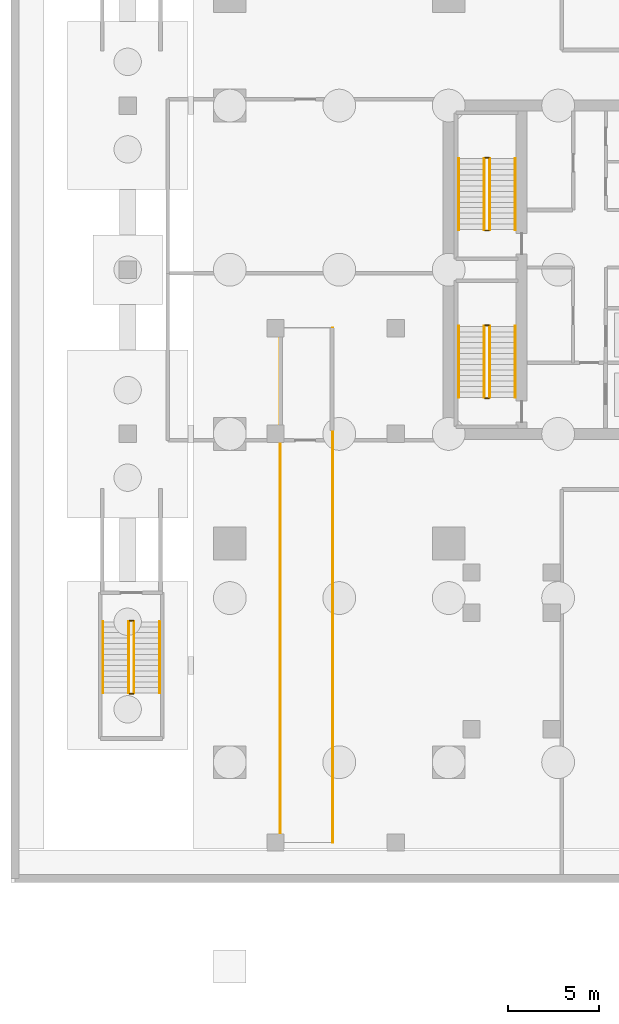
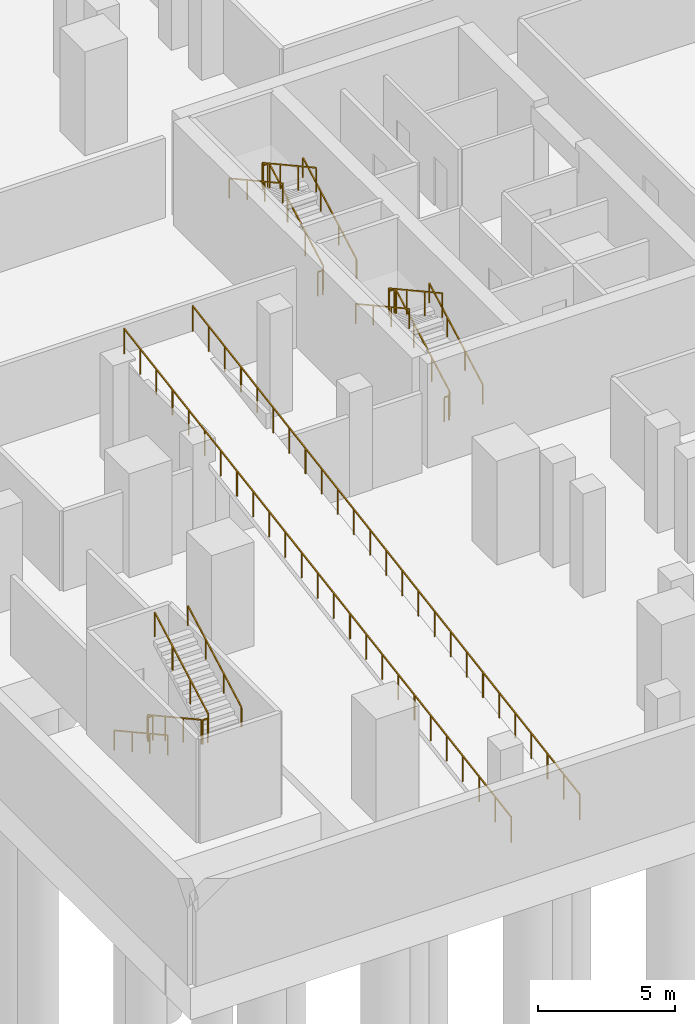
# One storey, part 10 of 14: 20 railings.
"""IFC4 building model written with IfcOpenShell, lengths in metres."""

from ifc_helpers import new_model, si_unit, direction, frame, origin, place, context, subcontext, project, spatial, rectangle, extrude, material, type_object, element, save


model = new_model("IFC4")

# Units and contexts
model_context = context("Model", 3, precision=1e-05, world=origin(), true_north=direction((0.0, 1.0)))
body_context = subcontext(model_context, "Body", "Model", "MODEL_VIEW")
ifc_project = project(units=[si_unit("LENGTHUNIT", "METRE"), si_unit("AREAUNIT", "SQUARE_METRE"), si_unit("VOLUMEUNIT", "CUBIC_METRE"), si_unit("PLANEANGLEUNIT", "RADIAN"), si_unit("MASSUNIT", "GRAM", prefix="KILO")], contexts=[model_context])

# Site, building, storey
site_placement = place(None, origin())
site = spatial("IfcSite", under=ifc_project, at=site_placement, CompositionType="ELEMENT")
building_placement = place(site_placement, origin())
building = spatial("IfcBuilding", under=site, at=building_placement, Name="Tanjung Sevakor Pilgrim Tower", CompositionType="ELEMENT")
storey_placement = place(building_placement, frame((0.0, 0.0, -9.239990234375)))
storey = spatial("IfcBuildingStorey", under=building, at=storey_placement, Name="B02", CompositionType="ELEMENT", Elevation=-9.239990234375)

# Railings
ifc_material_1 = material(Name="Steel S355J2", Category="steel")
railing_type_1 = type_object("IfcRailingType", Name="RL-STAIR-GUARD", PredefinedType="GUARDRAIL", material=ifc_material_1)
railing_1_placement = place(storey_placement, frame((26.25, 26.60009765625, 0.1650390625)))
element("IfcRailing", 1, at=railing_1_placement, inside=storey, type_object=railing_type_1, Name="B02 TS-W1 stair guard 1", PredefinedType="GUARDRAIL", context=body_context, shape_type="SweptSolid", body=[
    extrude(rectangle(XDim=0.0479, YDim=0.0479), frame((0.0, 0.0, 1.076171875), z_axis=(0.0, 0.876208959939, 0.481931383625), x_axis=(-1.0, 0.0, 0.0)), (0.0, 0.0, 1.0), 4.450927734375),
    extrude(rectangle(XDim=0.042, YDim=0.042), origin(), (0.0, 0.0, 1.0), 1.052001953125),
    extrude(rectangle(XDim=0.042, YDim=0.042), frame((0.0, 1.300048828125, 0.715087890625)), (0.0, 0.0, 1.0), 1.052001953125),
    extrude(rectangle(XDim=0.042, YDim=0.042), frame((0.0, 2.599853515625, 1.429931640625)), (0.0, 0.0, 1.0), 1.052001953125),
    extrude(rectangle(XDim=0.042, YDim=0.042), frame((0.0, 3.89990234375, 2.14501953125)), (0.0, 0.0, 1.0), 1.052001953125),
])
railing_2_placement = place(storey_placement, frame((26.199951171875, 30.550048828125, 2.31005859375)))
element("IfcRailing", 2, at=railing_2_placement, inside=storey, type_object=railing_type_1, Name="B02 TS-W1 stair guard 2", PredefinedType="GUARDRAIL", context=body_context, shape_type="SweptSolid", body=[
    extrude(rectangle(XDim=0.0479, YDim=0.0479), frame((0.0, 0.0, 1.076171875), z_axis=(-1.0, 0.0, 0.0), x_axis=(0.0, -1.0, 0.0)), (0.0, 0.0, 1.0), 0.199951171875),
    extrude(rectangle(XDim=0.042, YDim=0.042), origin(), (0.0, 0.0, 1.0), 1.052001953125),
    extrude(rectangle(XDim=0.042, YDim=0.042), frame((-0.199951171875, 0.0, 0.0)), (0.0, 0.0, 1.0), 1.052001953125),
])
railing_3_placement = place(storey_placement, frame((25.949951171875, 30.5, 2.47509765625)))
element("IfcRailing", 3, at=railing_3_placement, inside=storey, type_object=railing_type_1, Name="B02 TS-W1 stair guard 3", PredefinedType="GUARDRAIL", context=body_context, shape_type="SweptSolid", body=[
    extrude(rectangle(XDim=0.0479, YDim=0.0479), frame((0.0, 0.0, 1.076171875), z_axis=(0.0, -0.876232122118, 0.481889269614), x_axis=(1.0, 0.0, 0.0)), (0.0, 0.0, 1.0), 4.45068359375),
    extrude(rectangle(XDim=0.042, YDim=0.042), origin(), (0.0, 0.0, 1.0), 1.052001953125),
    extrude(rectangle(XDim=0.042, YDim=0.042), frame((0.0, -1.300048828125, 0.71484375)), (0.0, 0.0, 1.0), 1.052001953125),
    extrude(rectangle(XDim=0.042, YDim=0.042), frame((0.0, -2.599853515625, 1.429931640625)), (0.0, 0.0, 1.0), 1.052001953125),
    extrude(rectangle(XDim=0.042, YDim=0.042), frame((0.0, -3.89990234375, 2.144775390625)), (0.0, 0.0, 1.0), 1.052001953125),
])
railing_4_placement = place(storey_placement, frame((26.199951171875, 26.550048828125, 0.0)))
element("IfcRailing", 4, at=railing_4_placement, inside=storey, type_object=railing_type_1, Name="B02 TS-W1 stair guard 4", PredefinedType="GUARDRAIL", context=body_context, shape_type="SweptSolid", body=[
    extrude(rectangle(XDim=0.0479, YDim=0.0479), frame((0.0, 0.0, 1.076171875), z_axis=(-1.0, 0.0, 0.0), x_axis=(0.0, -1.0, 0.0)), (0.0, 0.0, 1.0), 0.199951171875),
    extrude(rectangle(XDim=0.042, YDim=0.042), origin(), (0.0, 0.0, 1.0), 1.052001953125),
    extrude(rectangle(XDim=0.042, YDim=0.042), frame((-0.199951171875, 0.0, 0.0)), (0.0, 0.0, 1.0), 1.052001953125),
])
railing_5_placement = place(storey_placement, frame((26.25, 35.800048828125, 0.1650390625)))
element("IfcRailing", 5, at=railing_5_placement, inside=storey, type_object=railing_type_1, Name="B02 TS-W2 stair guard 1", PredefinedType="GUARDRAIL", context=body_context, shape_type="SweptSolid", body=[
    extrude(rectangle(XDim=0.0479, YDim=0.0479), frame((0.0, 0.0, 1.076171875), z_axis=(0.0, 0.876208959939, 0.481931383625), x_axis=(-1.0, 0.0, 0.0)), (0.0, 0.0, 1.0), 4.450927734375),
    extrude(rectangle(XDim=0.042, YDim=0.042), origin(), (0.0, 0.0, 1.0), 1.052001953125),
    extrude(rectangle(XDim=0.042, YDim=0.042), frame((0.0, 1.300048828125, 0.715087890625)), (0.0, 0.0, 1.0), 1.052001953125),
    extrude(rectangle(XDim=0.042, YDim=0.042), frame((0.0, 2.599853515625, 1.429931640625)), (0.0, 0.0, 1.0), 1.052001953125),
    extrude(rectangle(XDim=0.042, YDim=0.042), frame((0.0, 3.89990234375, 2.14501953125)), (0.0, 0.0, 1.0), 1.052001953125),
])
railing_6_placement = place(storey_placement, frame((26.199951171875, 39.75, 2.31005859375)))
element("IfcRailing", 6, at=railing_6_placement, inside=storey, type_object=railing_type_1, Name="B02 TS-W2 stair guard 2", PredefinedType="GUARDRAIL", context=body_context, shape_type="SweptSolid", body=[
    extrude(rectangle(XDim=0.0479, YDim=0.0479), frame((0.0, 0.0, 1.076171875), z_axis=(-1.0, 0.0, 0.0), x_axis=(0.0, -1.0, 0.0)), (0.0, 0.0, 1.0), 0.199951171875),
    extrude(rectangle(XDim=0.042, YDim=0.042), origin(), (0.0, 0.0, 1.0), 1.052001953125),
    extrude(rectangle(XDim=0.042, YDim=0.042), frame((-0.199951171875, 0.0, 0.0)), (0.0, 0.0, 1.0), 1.052001953125),
])
railing_7_placement = place(storey_placement, frame((25.949951171875, 39.699951171875, 2.47509765625)))
element("IfcRailing", 7, at=railing_7_placement, inside=storey, type_object=railing_type_1, Name="B02 TS-W2 stair guard 3", PredefinedType="GUARDRAIL", context=body_context, shape_type="SweptSolid", body=[
    extrude(rectangle(XDim=0.0479, YDim=0.0479), frame((0.0, 0.0, 1.076171875), z_axis=(0.0, -0.876232122118, 0.481889269614), x_axis=(1.0, 0.0, 0.0)), (0.0, 0.0, 1.0), 4.45068359375),
    extrude(rectangle(XDim=0.042, YDim=0.042), origin(), (0.0, 0.0, 1.0), 1.052001953125),
    extrude(rectangle(XDim=0.042, YDim=0.042), frame((0.0, -1.300048828125, 0.71484375)), (0.0, 0.0, 1.0), 1.052001953125),
    extrude(rectangle(XDim=0.042, YDim=0.042), frame((0.0, -2.599853515625, 1.429931640625)), (0.0, 0.0, 1.0), 1.052001953125),
    extrude(rectangle(XDim=0.042, YDim=0.042), frame((0.0, -3.89990234375, 2.144775390625)), (0.0, 0.0, 1.0), 1.052001953125),
])
railing_8_placement = place(storey_placement, frame((26.199951171875, 35.75, 0.0)))
element("IfcRailing", 8, at=railing_8_placement, inside=storey, type_object=railing_type_1, Name="B02 TS-W2 stair guard 4", PredefinedType="GUARDRAIL", context=body_context, shape_type="SweptSolid", body=[
    extrude(rectangle(XDim=0.0479, YDim=0.0479), frame((0.0, 0.0, 1.076171875), z_axis=(-1.0, 0.0, 0.0), x_axis=(0.0, -1.0, 0.0)), (0.0, 0.0, 1.0), 0.199951171875),
    extrude(rectangle(XDim=0.042, YDim=0.042), origin(), (0.0, 0.0, 1.0), 1.052001953125),
    extrude(rectangle(XDim=0.042, YDim=0.042), frame((-0.199951171875, 0.0, 0.0)), (0.0, 0.0, 1.0), 1.052001953125),
])
railing_9_placement = place(storey_placement, frame((6.449951171875, 14.300048828125, 0.1650390625)))
element("IfcRailing", 9, at=railing_9_placement, inside=storey, type_object=railing_type_1, Name="B02 BS-1 stair guard 1", PredefinedType="GUARDRAIL", context=body_context, shape_type="SweptSolid", body=[
    extrude(rectangle(XDim=0.0479, YDim=0.0479), frame((0.0, 0.0, 1.076171875), z_axis=(0.0, -0.876221698874, 0.481908221991), x_axis=(1.0, 0.0, 0.0)), (0.0, 0.0, 1.0), 4.451171875),
    extrude(rectangle(XDim=0.042, YDim=0.042), origin(), (0.0, 0.0, 1.0), 1.052001953125),
    extrude(rectangle(XDim=0.042, YDim=0.042), frame((0.0, -1.300048828125, 0.715087890625)), (0.0, 0.0, 1.0), 1.052001953125),
    extrude(rectangle(XDim=0.042, YDim=0.042), frame((0.0, -2.60009765625, 1.429931640625)), (0.0, 0.0, 1.0), 1.052001953125),
    extrude(rectangle(XDim=0.042, YDim=0.042), frame((0.0, -3.900146484375, 2.14501953125)), (0.0, 0.0, 1.0), 1.052001953125),
])
railing_10_placement = place(storey_placement, frame((6.5, 10.35009765625, 2.31005859375)))
element("IfcRailing", 10, at=railing_10_placement, inside=storey, type_object=railing_type_1, Name="B02 BS-1 stair guard 2", PredefinedType="GUARDRAIL", context=body_context, shape_type="SweptSolid", body=[
    extrude(rectangle(XDim=0.0479, YDim=0.0479), frame((0.0, 0.0, 1.076171875), z_axis=(1.0, 0.0, 0.0), x_axis=(0.0, 1.0, 0.0)), (0.0, 0.0, 1.0), 0.199951171875),
    extrude(rectangle(XDim=0.042, YDim=0.042), origin(), (0.0, 0.0, 1.0), 1.052001953125),
    extrude(rectangle(XDim=0.042, YDim=0.042), frame((0.199951171875, 0.0, 0.0)), (0.0, 0.0, 1.0), 1.052001953125),
])
railing_11_placement = place(storey_placement, frame((6.75, 10.39990234375, 2.47509765625)))
element("IfcRailing", 11, at=railing_11_placement, inside=storey, type_object=railing_type_1, Name="B02 BS-1 stair guard 3", PredefinedType="GUARDRAIL", context=body_context, shape_type="SweptSolid", body=[
    extrude(rectangle(XDim=0.0479, YDim=0.0479), frame((0.0, 0.0, 1.076171875), z_axis=(0.0, 0.876244859163, 0.481866108779), x_axis=(-1.0, 0.0, 0.0)), (0.0, 0.0, 1.0), 4.450927734375),
    extrude(rectangle(XDim=0.042, YDim=0.042), origin(), (0.0, 0.0, 1.0), 1.052001953125),
    extrude(rectangle(XDim=0.042, YDim=0.042), frame((0.0, 1.300048828125, 0.71484375)), (0.0, 0.0, 1.0), 1.052001953125),
    extrude(rectangle(XDim=0.042, YDim=0.042), frame((0.0, 2.60009765625, 1.429931640625)), (0.0, 0.0, 1.0), 1.052001953125),
    extrude(rectangle(XDim=0.042, YDim=0.042), frame((0.0, 3.900146484375, 2.144775390625)), (0.0, 0.0, 1.0), 1.052001953125),
])
railing_12_placement = place(storey_placement, frame((6.5, 14.35009765625, 0.0)))
element("IfcRailing", 12, at=railing_12_placement, inside=storey, type_object=railing_type_1, Name="B02 BS-1 stair guard 4", PredefinedType="GUARDRAIL", context=body_context, shape_type="SweptSolid", body=[
    extrude(rectangle(XDim=0.0479, YDim=0.0479), frame((0.0, 0.0, 1.076171875), z_axis=(1.0, 0.0, 0.0), x_axis=(0.0, 1.0, 0.0)), (0.0, 0.0, 1.0), 0.199951171875),
    extrude(rectangle(XDim=0.042, YDim=0.042), origin(), (0.0, 0.0, 1.0), 1.052001953125),
    extrude(rectangle(XDim=0.042, YDim=0.042), frame((0.199951171875, 0.0, 0.0)), (0.0, 0.0, 1.0), 1.052001953125),
])
railing_13_placement = place(storey_placement, frame((14.760009765625, 2.199951171875, 0.0)))
element("IfcRailing", 13, at=railing_13_placement, inside=storey, type_object=railing_type_1, Name="B02 Vehicle Ramp Side Guardrail W", PredefinedType="GUARDRAIL", context=body_context, shape_type="SweptSolid", body=[
    extrude(rectangle(XDim=0.0479, YDim=0.0479), frame((0.0, 0.0, 1.1259765625), z_axis=(0.0, 0.986844809354, 0.16167041242), x_axis=(-1.0, 0.0, 0.0)), (0.0, 0.0, 1.0), 28.575927734375),
    extrude(rectangle(XDim=0.042, YDim=0.042), origin(), (0.0, 0.0, 1.0), 1.101806640625),
    extrude(rectangle(XDim=0.042, YDim=0.042), frame((0.0, 1.175048828125, 0.1923828125)), (0.0, 0.0, 1.0), 1.101806640625),
    extrude(rectangle(XDim=0.042, YDim=0.042), frame((0.0, 2.35009765625, 0.385009765625)), (0.0, 0.0, 1.0), 1.101806640625),
    extrude(rectangle(XDim=0.042, YDim=0.042), frame((0.0, 3.52490234375, 0.577392578125)), (0.0, 0.0, 1.0), 1.101806640625),
    extrude(rectangle(XDim=0.042, YDim=0.042), frame((0.0, 4.699951171875, 0.77001953125)), (0.0, 0.0, 1.0), 1.101806640625),
    extrude(rectangle(XDim=0.042, YDim=0.042), frame((0.0, 5.875, 0.96240234375)), (0.0, 0.0, 1.0), 1.101806640625),
    extrude(rectangle(XDim=0.042, YDim=0.042), frame((0.0, 7.050048828125, 1.155029296875)), (0.0, 0.0, 1.0), 1.101806640625),
    extrude(rectangle(XDim=0.042, YDim=0.042), frame((0.0, 8.22509765625, 1.347412109375)), (0.0, 0.0, 1.0), 1.101806640625),
    extrude(rectangle(XDim=0.042, YDim=0.042), frame((0.0, 9.39990234375, 1.5400390625)), (0.0, 0.0, 1.0), 1.101806640625),
    extrude(rectangle(XDim=0.042, YDim=0.042), frame((0.0, 10.574951171875, 1.732421875)), (0.0, 0.0, 1.0), 1.101806640625),
    extrude(rectangle(XDim=0.042, YDim=0.042), frame((0.0, 11.75, 1.925048828125)), (0.0, 0.0, 1.0), 1.101806640625),
    extrude(rectangle(XDim=0.042, YDim=0.042), frame((0.0, 12.925048828125, 2.117431640625)), (0.0, 0.0, 1.0), 1.101806640625),
    extrude(rectangle(XDim=0.042, YDim=0.042), frame((0.0, 14.10009765625, 2.31005859375)), (0.0, 0.0, 1.0), 1.101806640625),
    extrude(rectangle(XDim=0.042, YDim=0.042), frame((0.0, 15.27490234375, 2.50244140625)), (0.0, 0.0, 1.0), 1.101806640625),
    extrude(rectangle(XDim=0.042, YDim=0.042), frame((0.0, 16.449951171875, 2.69482421875)), (0.0, 0.0, 1.0), 1.101806640625),
    extrude(rectangle(XDim=0.042, YDim=0.042), frame((0.0, 17.625, 2.887451171875)), (0.0, 0.0, 1.0), 1.101806640625),
    extrude(rectangle(XDim=0.042, YDim=0.042), frame((0.0, 18.800048828125, 3.079833984375)), (0.0, 0.0, 1.0), 1.101806640625),
    extrude(rectangle(XDim=0.042, YDim=0.042), frame((0.0, 19.974853515625, 3.2724609375)), (0.0, 0.0, 1.0), 1.101806640625),
    extrude(rectangle(XDim=0.042, YDim=0.042), frame((0.0, 21.14990234375, 3.46484375)), (0.0, 0.0, 1.0), 1.101806640625),
    extrude(rectangle(XDim=0.042, YDim=0.042), frame((0.0, 22.324951171875, 3.657470703125)), (0.0, 0.0, 1.0), 1.101806640625),
    extrude(rectangle(XDim=0.042, YDim=0.042), frame((0.0, 23.5, 3.849853515625)), (0.0, 0.0, 1.0), 1.101806640625),
    extrude(rectangle(XDim=0.042, YDim=0.042), frame((0.0, 24.675048828125, 4.04248046875)), (0.0, 0.0, 1.0), 1.101806640625),
    extrude(rectangle(XDim=0.042, YDim=0.042), frame((0.0, 25.849853515625, 4.23486328125)), (0.0, 0.0, 1.0), 1.101806640625),
    extrude(rectangle(XDim=0.042, YDim=0.042), frame((0.0, 27.02490234375, 4.427490234375)), (0.0, 0.0, 1.0), 1.101806640625),
    extrude(rectangle(XDim=0.042, YDim=0.042), frame((0.0, 28.199951171875, 4.619873046875)), (0.0, 0.0, 1.0), 1.101806640625),
])
railing_14_placement = place(storey_placement, frame((17.639892578125, 2.199951171875, 0.0)))
element("IfcRailing", 14, at=railing_14_placement, inside=storey, type_object=railing_type_1, Name="B02 Vehicle Ramp Side Guardrail E", PredefinedType="GUARDRAIL", context=body_context, shape_type="SweptSolid", body=[
    extrude(rectangle(XDim=0.0479, YDim=0.0479), frame((0.0, 0.0, 1.1259765625), z_axis=(0.0, 0.986844809354, 0.16167041242), x_axis=(-1.0, 0.0, 0.0)), (0.0, 0.0, 1.0), 28.575927734375),
    extrude(rectangle(XDim=0.042, YDim=0.042), origin(), (0.0, 0.0, 1.0), 1.101806640625),
    extrude(rectangle(XDim=0.042, YDim=0.042), frame((0.0, 1.175048828125, 0.1923828125)), (0.0, 0.0, 1.0), 1.101806640625),
    extrude(rectangle(XDim=0.042, YDim=0.042), frame((0.0, 2.35009765625, 0.385009765625)), (0.0, 0.0, 1.0), 1.101806640625),
    extrude(rectangle(XDim=0.042, YDim=0.042), frame((0.0, 3.52490234375, 0.577392578125)), (0.0, 0.0, 1.0), 1.101806640625),
    extrude(rectangle(XDim=0.042, YDim=0.042), frame((0.0, 4.699951171875, 0.77001953125)), (0.0, 0.0, 1.0), 1.101806640625),
    extrude(rectangle(XDim=0.042, YDim=0.042), frame((0.0, 5.875, 0.96240234375)), (0.0, 0.0, 1.0), 1.101806640625),
    extrude(rectangle(XDim=0.042, YDim=0.042), frame((0.0, 7.050048828125, 1.155029296875)), (0.0, 0.0, 1.0), 1.101806640625),
    extrude(rectangle(XDim=0.042, YDim=0.042), frame((0.0, 8.22509765625, 1.347412109375)), (0.0, 0.0, 1.0), 1.101806640625),
    extrude(rectangle(XDim=0.042, YDim=0.042), frame((0.0, 9.39990234375, 1.5400390625)), (0.0, 0.0, 1.0), 1.101806640625),
    extrude(rectangle(XDim=0.042, YDim=0.042), frame((0.0, 10.574951171875, 1.732421875)), (0.0, 0.0, 1.0), 1.101806640625),
    extrude(rectangle(XDim=0.042, YDim=0.042), frame((0.0, 11.75, 1.925048828125)), (0.0, 0.0, 1.0), 1.101806640625),
    extrude(rectangle(XDim=0.042, YDim=0.042), frame((0.0, 12.925048828125, 2.117431640625)), (0.0, 0.0, 1.0), 1.101806640625),
    extrude(rectangle(XDim=0.042, YDim=0.042), frame((0.0, 14.10009765625, 2.31005859375)), (0.0, 0.0, 1.0), 1.101806640625),
    extrude(rectangle(XDim=0.042, YDim=0.042), frame((0.0, 15.27490234375, 2.50244140625)), (0.0, 0.0, 1.0), 1.101806640625),
    extrude(rectangle(XDim=0.042, YDim=0.042), frame((0.0, 16.449951171875, 2.69482421875)), (0.0, 0.0, 1.0), 1.101806640625),
    extrude(rectangle(XDim=0.042, YDim=0.042), frame((0.0, 17.625, 2.887451171875)), (0.0, 0.0, 1.0), 1.101806640625),
    extrude(rectangle(XDim=0.042, YDim=0.042), frame((0.0, 18.800048828125, 3.079833984375)), (0.0, 0.0, 1.0), 1.101806640625),
    extrude(rectangle(XDim=0.042, YDim=0.042), frame((0.0, 19.974853515625, 3.2724609375)), (0.0, 0.0, 1.0), 1.101806640625),
    extrude(rectangle(XDim=0.042, YDim=0.042), frame((0.0, 21.14990234375, 3.46484375)), (0.0, 0.0, 1.0), 1.101806640625),
    extrude(rectangle(XDim=0.042, YDim=0.042), frame((0.0, 22.324951171875, 3.657470703125)), (0.0, 0.0, 1.0), 1.101806640625),
    extrude(rectangle(XDim=0.042, YDim=0.042), frame((0.0, 23.5, 3.849853515625)), (0.0, 0.0, 1.0), 1.101806640625),
    extrude(rectangle(XDim=0.042, YDim=0.042), frame((0.0, 24.675048828125, 4.04248046875)), (0.0, 0.0, 1.0), 1.101806640625),
    extrude(rectangle(XDim=0.042, YDim=0.042), frame((0.0, 25.849853515625, 4.23486328125)), (0.0, 0.0, 1.0), 1.101806640625),
    extrude(rectangle(XDim=0.042, YDim=0.042), frame((0.0, 27.02490234375, 4.427490234375)), (0.0, 0.0, 1.0), 1.101806640625),
    extrude(rectangle(XDim=0.042, YDim=0.042), frame((0.0, 28.199951171875, 4.619873046875)), (0.0, 0.0, 1.0), 1.101806640625),
])
ifc_material_2 = material(Name="Steel S355J2", Category="steel")
railing_type_2 = type_object("IfcRailingType", Name="RL-STAIR-HAND", PredefinedType="HANDRAIL", material=ifc_material_2)
railing_15_placement = place(storey_placement, frame((27.64990234375, 26.60009765625, 0.1650390625)))
element("IfcRailing", 15, at=railing_15_placement, inside=storey, type_object=railing_type_2, Name="B02 TS-W1 stair handrail 1", PredefinedType="HANDRAIL", context=body_context, shape_type="SweptSolid", body=[
    extrude(rectangle(XDim=0.0479, YDim=0.0479), frame((0.0, 0.0, 0.8759765625), z_axis=(0.0, 0.876208959939, 0.481931383625), x_axis=(-1.0, 0.0, 0.0)), (0.0, 0.0, 1.0), 4.450927734375),
    extrude(rectangle(XDim=0.042, YDim=0.042), origin(), (0.0, 0.0, 1.0), 0.851806640625),
    extrude(rectangle(XDim=0.042, YDim=0.042), frame((0.0, 1.300048828125, 0.715087890625)), (0.0, 0.0, 1.0), 0.851806640625),
    extrude(rectangle(XDim=0.042, YDim=0.042), frame((0.0, 2.599853515625, 1.429931640625)), (0.0, 0.0, 1.0), 0.851806640625),
    extrude(rectangle(XDim=0.042, YDim=0.042), frame((0.0, 3.89990234375, 2.14501953125)), (0.0, 0.0, 1.0), 0.851806640625),
])
railing_16_placement = place(storey_placement, frame((24.550048828125, 30.5, 2.47509765625)))
element("IfcRailing", 16, at=railing_16_placement, inside=storey, type_object=railing_type_2, Name="B02 TS-W1 stair handrail 2", PredefinedType="HANDRAIL", context=body_context, shape_type="SweptSolid", body=[
    extrude(rectangle(XDim=0.0479, YDim=0.0479), frame((0.0, 0.0, 0.8759765625), z_axis=(0.0, -0.876232122118, 0.481889269614), x_axis=(1.0, 0.0, 0.0)), (0.0, 0.0, 1.0), 4.45068359375),
    extrude(rectangle(XDim=0.042, YDim=0.042), origin(), (0.0, 0.0, 1.0), 0.851806640625),
    extrude(rectangle(XDim=0.042, YDim=0.042), frame((0.0, -1.300048828125, 0.71484375)), (0.0, 0.0, 1.0), 0.851806640625),
    extrude(rectangle(XDim=0.042, YDim=0.042), frame((0.0, -2.599853515625, 1.429931640625)), (0.0, 0.0, 1.0), 0.851806640625),
    extrude(rectangle(XDim=0.042, YDim=0.042), frame((0.0, -3.89990234375, 2.144775390625)), (0.0, 0.0, 1.0), 0.851806640625),
])
railing_17_placement = place(storey_placement, frame((27.64990234375, 35.800048828125, 0.1650390625)))
element("IfcRailing", 17, at=railing_17_placement, inside=storey, type_object=railing_type_2, Name="B02 TS-W2 stair handrail 1", PredefinedType="HANDRAIL", context=body_context, shape_type="SweptSolid", body=[
    extrude(rectangle(XDim=0.0479, YDim=0.0479), frame((0.0, 0.0, 0.8759765625), z_axis=(0.0, 0.876208959939, 0.481931383625), x_axis=(-1.0, 0.0, 0.0)), (0.0, 0.0, 1.0), 4.450927734375),
    extrude(rectangle(XDim=0.042, YDim=0.042), origin(), (0.0, 0.0, 1.0), 0.851806640625),
    extrude(rectangle(XDim=0.042, YDim=0.042), frame((0.0, 1.300048828125, 0.715087890625)), (0.0, 0.0, 1.0), 0.851806640625),
    extrude(rectangle(XDim=0.042, YDim=0.042), frame((0.0, 2.599853515625, 1.429931640625)), (0.0, 0.0, 1.0), 0.851806640625),
    extrude(rectangle(XDim=0.042, YDim=0.042), frame((0.0, 3.89990234375, 2.14501953125)), (0.0, 0.0, 1.0), 0.851806640625),
])
railing_18_placement = place(storey_placement, frame((24.550048828125, 39.699951171875, 2.47509765625)))
element("IfcRailing", 18, at=railing_18_placement, inside=storey, type_object=railing_type_2, Name="B02 TS-W2 stair handrail 2", PredefinedType="HANDRAIL", context=body_context, shape_type="SweptSolid", body=[
    extrude(rectangle(XDim=0.0479, YDim=0.0479), frame((0.0, 0.0, 0.8759765625), z_axis=(0.0, -0.876232122118, 0.481889269614), x_axis=(1.0, 0.0, 0.0)), (0.0, 0.0, 1.0), 4.45068359375),
    extrude(rectangle(XDim=0.042, YDim=0.042), origin(), (0.0, 0.0, 1.0), 0.851806640625),
    extrude(rectangle(XDim=0.042, YDim=0.042), frame((0.0, -1.300048828125, 0.71484375)), (0.0, 0.0, 1.0), 0.851806640625),
    extrude(rectangle(XDim=0.042, YDim=0.042), frame((0.0, -2.599853515625, 1.429931640625)), (0.0, 0.0, 1.0), 0.851806640625),
    extrude(rectangle(XDim=0.042, YDim=0.042), frame((0.0, -3.89990234375, 2.144775390625)), (0.0, 0.0, 1.0), 0.851806640625),
])
railing_19_placement = place(storey_placement, frame((5.050048828125, 14.300048828125, 0.1650390625)))
element("IfcRailing", 19, at=railing_19_placement, inside=storey, type_object=railing_type_2, Name="B02 BS-1 stair handrail 1", PredefinedType="HANDRAIL", context=body_context, shape_type="SweptSolid", body=[
    extrude(rectangle(XDim=0.0479, YDim=0.0479), frame((0.0, 0.0, 0.8759765625), z_axis=(0.0, -0.876221698874, 0.481908221991), x_axis=(1.0, 0.0, 0.0)), (0.0, 0.0, 1.0), 4.451171875),
    extrude(rectangle(XDim=0.042, YDim=0.042), origin(), (0.0, 0.0, 1.0), 0.851806640625),
    extrude(rectangle(XDim=0.042, YDim=0.042), frame((0.0, -1.300048828125, 0.715087890625)), (0.0, 0.0, 1.0), 0.851806640625),
    extrude(rectangle(XDim=0.042, YDim=0.042), frame((0.0, -2.60009765625, 1.429931640625)), (0.0, 0.0, 1.0), 0.851806640625),
    extrude(rectangle(XDim=0.042, YDim=0.042), frame((0.0, -3.900146484375, 2.14501953125)), (0.0, 0.0, 1.0), 0.851806640625),
])
railing_20_placement = place(storey_placement, frame((8.14990234375, 10.39990234375, 2.47509765625)))
element("IfcRailing", 20, at=railing_20_placement, inside=storey, type_object=railing_type_2, Name="B02 BS-1 stair handrail 2", PredefinedType="HANDRAIL", context=body_context, shape_type="SweptSolid", body=[
    extrude(rectangle(XDim=0.0479, YDim=0.0479), frame((0.0, 0.0, 0.8759765625), z_axis=(0.0, 0.876244859163, 0.481866108779), x_axis=(-1.0, 0.0, 0.0)), (0.0, 0.0, 1.0), 4.450927734375),
    extrude(rectangle(XDim=0.042, YDim=0.042), origin(), (0.0, 0.0, 1.0), 0.851806640625),
    extrude(rectangle(XDim=0.042, YDim=0.042), frame((0.0, 1.300048828125, 0.71484375)), (0.0, 0.0, 1.0), 0.851806640625),
    extrude(rectangle(XDim=0.042, YDim=0.042), frame((0.0, 2.60009765625, 1.429931640625)), (0.0, 0.0, 1.0), 0.851806640625),
    extrude(rectangle(XDim=0.042, YDim=0.042), frame((0.0, 3.900146484375, 2.144775390625)), (0.0, 0.0, 1.0), 0.851806640625),
])

save(model, "model.ifc")
